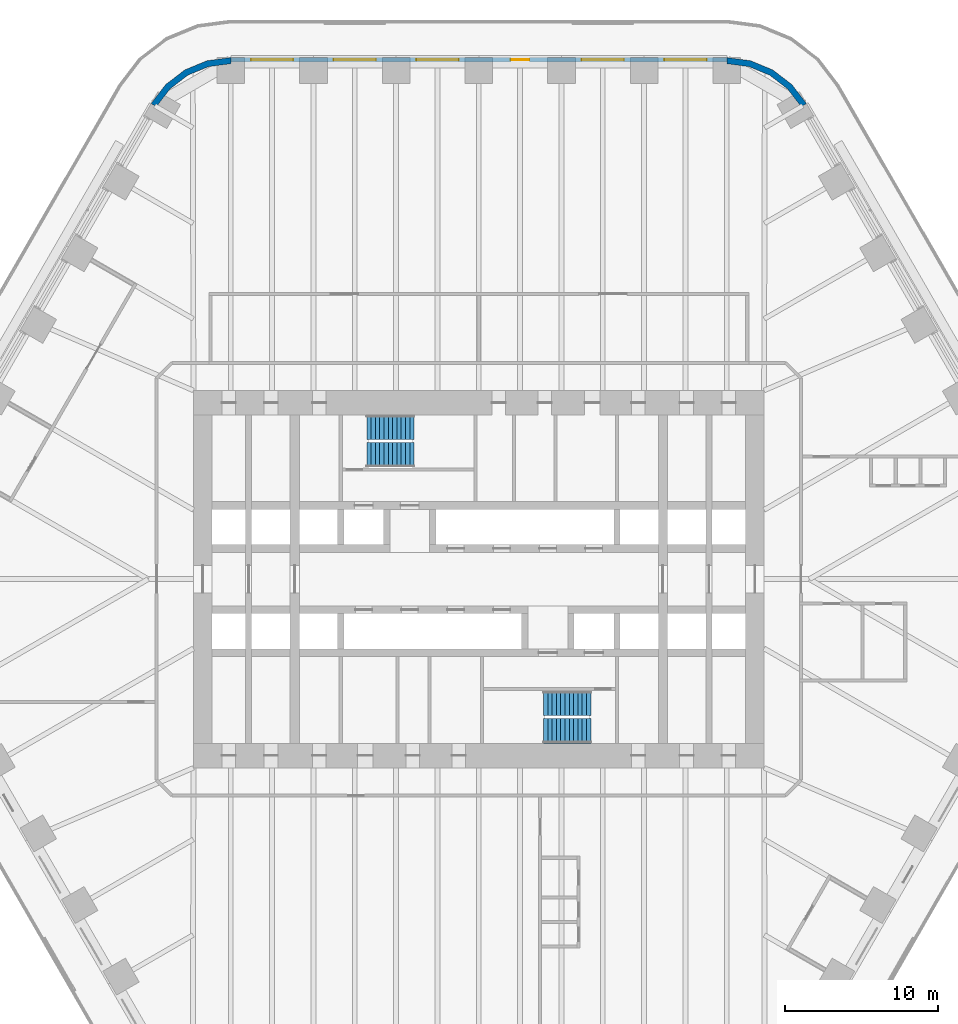
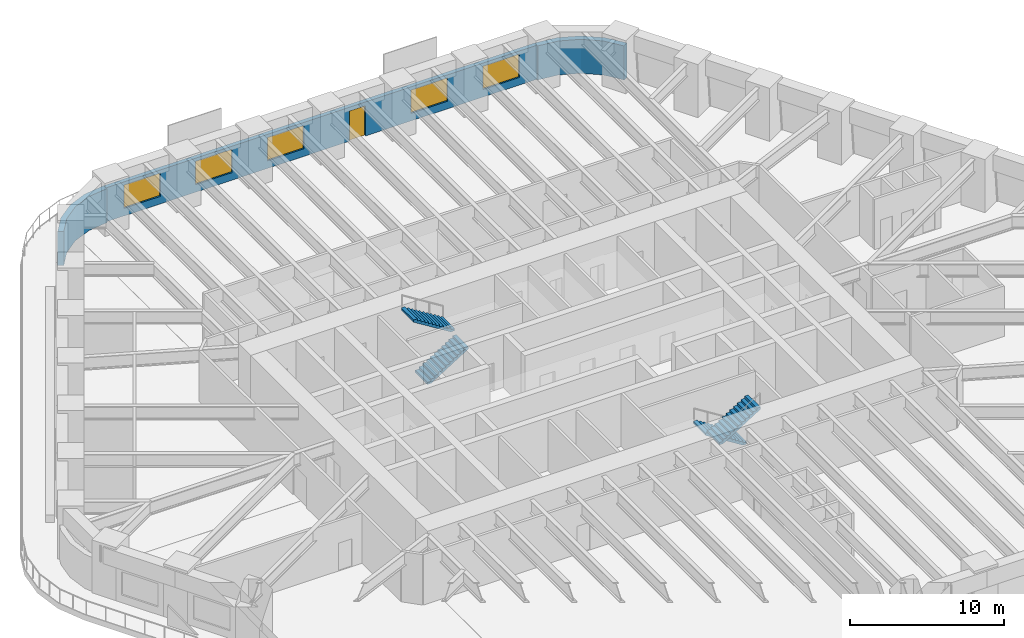
# One storey, part 21 of 24: 5 windows, 4 stair flights, 3 walls, 1 door, 6 openings, 2 elements without a shape of their own.
"""IFC4 building model written with IfcOpenShell, lengths in metres."""

from ifc_helpers import new_model, si_unit, direction, frame, frame_2d, origin, place, context, subcontext, project, spatial, polyline, rectangle, outline, extrude, material, layer, layer_set, type_object, element, fill, aggregate, save


model = new_model("IFC4")

# Units and contexts
model_context = context("Model", 3, precision=1e-05, world=origin(), true_north=direction((0.0, 1.0)))
body_context = subcontext(model_context, "Body", "Model", "MODEL_VIEW")
ifc_project = project(units=[si_unit("LENGTHUNIT", "METRE"), si_unit("AREAUNIT", "SQUARE_METRE"), si_unit("VOLUMEUNIT", "CUBIC_METRE"), si_unit("PLANEANGLEUNIT", "RADIAN"), si_unit("MASSUNIT", "GRAM", prefix="KILO")], contexts=[model_context])

# Site, building, storey
site_placement = place(None, origin())
site = spatial("IfcSite", under=ifc_project, at=site_placement, CompositionType="ELEMENT")
building_placement = place(site_placement, origin())
building = spatial("IfcBuilding", under=site, at=building_placement, Name="Tarfa Lantern Tower", CompositionType="ELEMENT")
storey_placement = place(building_placement, frame((0.0, 0.0, 90.699951171875)))
storey = spatial("IfcBuildingStorey", under=building, at=storey_placement, Name="L20", CompositionType="ELEMENT", Elevation=90.699951171875)

# Wall, openings, door, windows
ifc_material_1 = material(Name="Limestone cladding on blockwork", Category="masonry")
ifc_layer_1 = layer(ifc_material_1, 0.300048828125)
ifc_layer_set_1 = layer_set([ifc_layer_1], Name="EW1 STONE-CLAD WALL 300")
wall_type_1 = type_object("IfcWallType", Name="EW1 STONE-CLAD WALL 300", PredefinedType="SOLIDWALL", material=ifc_layer_set_1)
wall_1_placement = place(storey_placement, frame((16.165771484375, 33.85009765625, 0.0), z_axis=(0.0, 0.0, 1.0), x_axis=(-1.0, 0.0, 0.0)))
wall_1 = element("IfcWall", 1, at=wall_1_placement, inside=storey, type_object=wall_type_1, Name="Stone wall N", PredefinedType="SOLIDWALL", context=body_context, shape_type="SweptSolid", body=[
    extrude(rectangle(XDim=32.33154296875, YDim=0.300048828125, at=frame_2d((16.165771484375, 0.0))), origin(), (0.0, 0.0, 1.0), 2.699951171875),
])
opening_1_placement = place(wall_1_placement, frame((1.3193359375, 0.0, 0.60009765625)))
opening_1 = element("IfcOpeningElement", 2, at=opening_1_placement, cuts=wall_1, Name="Opening W2", PredefinedType="OPENING", context=body_context, shape_type="SweptSolid", body=[
    extrude(rectangle(XDim=2.75, YDim=1.85009765625, at=frame_2d((1.375, 0.925048828125))), frame((0.0, 0.159912109375, 0.0), z_axis=(0.0, -1.0, 0.0), x_axis=(1.0, 0.0, 0.0)), (0.0, 0.0, 1.0), 0.320068359375),
])
opening_2_placement = place(wall_1_placement, frame((6.7080078125, 0.0, 0.60009765625)))
opening_2 = element("IfcOpeningElement", 3, at=opening_2_placement, cuts=wall_1, Name="Opening W2", PredefinedType="OPENING", context=body_context, shape_type="SweptSolid", body=[
    extrude(rectangle(XDim=2.75, YDim=1.85009765625, at=frame_2d((1.375, 0.925048828125))), frame((0.0, 0.159912109375, 0.0), z_axis=(0.0, -1.0, 0.0), x_axis=(1.0, 0.0, 0.0)), (0.0, 0.0, 1.0), 0.320068359375),
])
opening_3_placement = place(wall_1_placement, frame((12.87158203125, 0.0, 0.0)))
opening_3 = element("IfcOpeningElement", 4, at=opening_3_placement, cuts=wall_1, Name="Opening D48", PredefinedType="OPENING", context=body_context, shape_type="SweptSolid", body=[
    extrude(rectangle(XDim=1.199951171875, YDim=2.39990234375, at=frame_2d((0.60009765625, 1.199951171875))), frame((0.0, 0.159912109375, 0.0), z_axis=(0.0, -1.0, 0.0), x_axis=(1.0, 0.0, 0.0)), (0.0, 0.0, 1.0), 0.320068359375),
])
opening_4_placement = place(wall_1_placement, frame((17.485107421875, 0.0, 0.60009765625)))
opening_4 = element("IfcOpeningElement", 5, at=opening_4_placement, cuts=wall_1, Name="Opening W2", PredefinedType="OPENING", context=body_context, shape_type="SweptSolid", body=[
    extrude(rectangle(XDim=2.75, YDim=1.85009765625, at=frame_2d((1.375, 0.925048828125))), frame((0.0, 0.159912109375, 0.0), z_axis=(0.0, -1.0, 0.0), x_axis=(1.0, 0.0, 0.0)), (0.0, 0.0, 1.0), 0.320068359375),
])
opening_5_placement = place(wall_1_placement, frame((22.873779296875, 0.0, 0.60009765625)))
opening_5 = element("IfcOpeningElement", 6, at=opening_5_placement, cuts=wall_1, Name="Opening W2", PredefinedType="OPENING", context=body_context, shape_type="SweptSolid", body=[
    extrude(rectangle(XDim=2.75, YDim=1.85009765625, at=frame_2d((1.375, 0.925048828125))), frame((0.0, 0.159912109375, 0.0), z_axis=(0.0, -1.0, 0.0), x_axis=(1.0, 0.0, 0.0)), (0.0, 0.0, 1.0), 0.320068359375),
])
opening_6_placement = place(wall_1_placement, frame((28.26220703125, 0.0, 0.60009765625)))
opening_6 = element("IfcOpeningElement", 7, at=opening_6_placement, cuts=wall_1, Name="Opening W2", PredefinedType="OPENING", context=body_context, shape_type="SweptSolid", body=[
    extrude(rectangle(XDim=2.75, YDim=1.85009765625, at=frame_2d((1.375, 0.925048828125))), frame((0.0, 0.159912109375, 0.0), z_axis=(0.0, -1.0, 0.0), x_axis=(1.0, 0.0, 0.0)), (0.0, 0.0, 1.0), 0.320068359375),
])
ifc_material_2 = material(Name="Aluminium framed glazed door", Category="aluminium")
door_type = type_object("IfcDoorType", Name="BE3 BALCONY DOOR 1200x2400", OperationType="SINGLE_SWING_RIGHT", PredefinedType="DOOR", material=ifc_material_2)
door_placement = place(opening_3_placement, origin())
door = element("IfcDoor", 8, at=door_placement, inside=storey, type_object=door_type, Name="Balcony door N", OperationType="SINGLE_SWING_RIGHT", OverallHeight=2.39990234375, OverallWidth=1.199951171875, PredefinedType="DOOR", context=body_context, shape_type="SweptSolid", body=[
    extrude(rectangle(XDim=1.199951171875, YDim=2.39990234375, at=frame_2d((0.60009765625, 1.199951171875))), frame((0.0, 0.02490234375, 0.0), z_axis=(0.0, -1.0, 0.0), x_axis=(1.0, 0.0, 0.0)), (0.0, 0.0, 1.0), 0.050048828125),
])
fill(opening_3, door)
ifc_material_3 = material(Name="Aluminium frame, double glazed", Category="aluminium")
window_type = type_object("IfcWindowType", Name="W2 FULL-HEIGHT GLAZING 2750x1850", PartitioningType="SINGLE_PANEL", PredefinedType="WINDOW", material=ifc_material_3)
window_1_placement = place(opening_1_placement, origin())
window_1 = element("IfcWindow", 9, at=window_1_placement, inside=storey, type_object=window_type, Name="Window N 1", OverallHeight=1.85009765625, OverallWidth=2.75, PartitioningType="SINGLE_PANEL", PredefinedType="WINDOW", context=body_context, shape_type="SweptSolid", body=[
    extrude(rectangle(XDim=2.75, YDim=1.85009765625, at=frame_2d((1.375, 0.925048828125))), frame((0.0, 0.030029296875, 0.0), z_axis=(0.0, -1.0, 0.0), x_axis=(1.0, 0.0, 0.0)), (0.0, 0.0, 1.0), 0.06005859375),
])
fill(opening_1, window_1)
window_2_placement = place(opening_2_placement, origin())
window_2 = element("IfcWindow", 10, at=window_2_placement, inside=storey, type_object=window_type, Name="Window N 2", OverallHeight=1.85009765625, OverallWidth=2.75, PartitioningType="SINGLE_PANEL", PredefinedType="WINDOW", context=body_context, shape_type="SweptSolid", body=[
    extrude(rectangle(XDim=2.75, YDim=1.85009765625, at=frame_2d((1.375, 0.925048828125))), frame((0.0, 0.030029296875, 0.0), z_axis=(0.0, -1.0, 0.0), x_axis=(1.0, 0.0, 0.0)), (0.0, 0.0, 1.0), 0.06005859375),
])
fill(opening_2, window_2)
window_3_placement = place(opening_4_placement, origin())
window_3 = element("IfcWindow", 11, at=window_3_placement, inside=storey, type_object=window_type, Name="Window N 4", OverallHeight=1.85009765625, OverallWidth=2.75, PartitioningType="SINGLE_PANEL", PredefinedType="WINDOW", context=body_context, shape_type="SweptSolid", body=[
    extrude(rectangle(XDim=2.75, YDim=1.85009765625, at=frame_2d((1.375, 0.925048828125))), frame((0.0, 0.030029296875, 0.0), z_axis=(0.0, -1.0, 0.0), x_axis=(1.0, 0.0, 0.0)), (0.0, 0.0, 1.0), 0.06005859375),
])
fill(opening_4, window_3)
window_4_placement = place(opening_5_placement, origin())
window_4 = element("IfcWindow", 12, at=window_4_placement, inside=storey, type_object=window_type, Name="Window N 5", OverallHeight=1.85009765625, OverallWidth=2.75, PartitioningType="SINGLE_PANEL", PredefinedType="WINDOW", context=body_context, shape_type="SweptSolid", body=[
    extrude(rectangle(XDim=2.75, YDim=1.85009765625, at=frame_2d((1.375, 0.925048828125))), frame((0.0, 0.030029296875, 0.0), z_axis=(0.0, -1.0, 0.0), x_axis=(1.0, 0.0, 0.0)), (0.0, 0.0, 1.0), 0.06005859375),
])
fill(opening_5, window_4)
window_5_placement = place(opening_6_placement, origin())
window_5 = element("IfcWindow", 13, at=window_5_placement, inside=storey, type_object=window_type, Name="Window N 6", OverallHeight=1.85009765625, OverallWidth=2.75, PartitioningType="SINGLE_PANEL", PredefinedType="WINDOW", context=body_context, shape_type="SweptSolid", body=[
    extrude(rectangle(XDim=2.75, YDim=1.85009765625, at=frame_2d((1.375, 0.925048828125))), frame((0.0, 0.030029296875, 0.0), z_axis=(0.0, -1.0, 0.0), x_axis=(1.0, 0.0, 0.0)), (0.0, 0.0, 1.0), 0.06005859375),
])
fill(opening_6, window_5)

# Walls
ifc_layer_2 = layer(ifc_material_1, 0.39990234375)
ifc_layer_set_2 = layer_set([ifc_layer_2], Name="EW2 CURVED STONE CORNER 400")
wall_type_2 = type_object("IfcWallType", Name="EW2 CURVED STONE CORNER 400", PredefinedType="SOLIDWALL", material=ifc_layer_set_2)
wall_2_placement = place(storey_placement, origin())
element("IfcWall", 14, at=wall_2_placement, inside=storey, type_object=wall_type_2, Name="Stone corner NE-N", PredefinedType="SOLIDWALL", context=body_context, shape_type="SweptSolid", body=[
    extrude(outline(polyline([(21.362060546875, 31.0), (20.408447265625, 32.24267578125), (19.165771484375, 33.196044921875), (17.71875, 33.795654296875), (16.165771484375, 34.0), (16.165771484375, 33.60009765625), (17.615234375, 33.4091796875), (18.9658203125, 32.849853515625), (20.12548828125, 31.959716796875), (21.015625, 30.800048828125), (21.362060546875, 31.0)])), origin(), (0.0, 0.0, 1.0), 2.699951171875),
])
wall_3_placement = place(storey_placement, origin())
element("IfcWall", 15, at=wall_3_placement, inside=storey, type_object=wall_type_2, Name="Stone corner N-NW", PredefinedType="SOLIDWALL", context=body_context, shape_type="SweptSolid", body=[
    extrude(outline(polyline([(-16.165771484375, 34.0), (-17.71875, 33.795654296875), (-19.165771484375, 33.196044921875), (-20.408447265625, 32.24267578125), (-21.362060546875, 31.0), (-21.015625, 30.800048828125), (-20.12548828125, 31.959716796875), (-18.9658203125, 32.849853515625), (-17.615234375, 33.4091796875), (-16.165771484375, 33.60009765625), (-16.165771484375, 34.0)])), origin(), (0.0, 0.0, 1.0), 2.699951171875),
])

# Stair, stair flights
ifc_material_4 = material(Name="Concrete C40/50", Category="concrete")
stair_type = type_object("IfcStairType", Name="ST-T10 HALF-TURN STAIR 4200 RISE", PredefinedType="HALF_TURN_STAIR", material=ifc_material_4)
stair_1_placement = place(storey_placement, origin())
stair_1 = element("IfcStair", 16, at=stair_1_placement, inside=storey, type_object=stair_type, Name="Stair ST1", PredefinedType="HALF_TURN_STAIR")
stair_flight_type = type_object("IfcStairFlightType", Name="SF1 STAIR FLIGHT", PredefinedType="STRAIGHT", material=ifc_material_4)
stair_flight_1_placement = place(storey_placement, frame((-7.300048828125, 8.10009765625, 0.0), z_axis=(0.0, 0.0, 1.0), x_axis=(1.0, 0.0, 0.0)))
stair_flight_1 = element("IfcStairFlight", 17, at=stair_flight_1_placement, type_object=stair_flight_type, Name="ST1 flight 1", NumberOfRisers=12, NumberOfTreads=11, PredefinedType="STRAIGHT", RiserHeight=0.175, TreadLength=0.28, context=body_context, shape_type="SweptSolid", body=[
    extrude(outline(polyline([(0.0, 0.0), (0.0, 0.175048828125), (0.280029296875, 0.175048828125), (0.280029296875, 0.35009765625), (0.56005859375, 0.35009765625), (0.56005859375, 0.52490234375), (0.840087890625, 0.52490234375), (0.840087890625, 0.699951171875), (1.1201171875, 0.699951171875), (1.1201171875, 0.875), (1.39990234375, 0.875), (1.39990234375, 1.050048828125), (1.679931640625, 1.050048828125), (1.679931640625, 1.22509765625), (1.9599609375, 1.22509765625), (1.9599609375, 1.39990234375), (2.239990234375, 1.39990234375), (2.239990234375, 1.574951171875), (2.52001953125, 1.574951171875), (2.52001953125, 1.75), (2.800048828125, 1.75), (2.800048828125, 1.925048828125), (3.080078125, 1.925048828125), (3.080078125, 2.10009765625), (3.080078125, 1.748291015625), (0.28271484375, 0.0), (0.0, 0.0)])), frame((0.0, 0.800048828125, 0.0), z_axis=(0.0, -1.0, 0.0), x_axis=(1.0, 0.0, 0.0)), (0.0, 0.0, 1.0), 1.60009765625),
])
stair_flight_2_placement = place(storey_placement, frame((-4.219970703125, 9.89990234375, 2.10009765625), z_axis=(0.0, 0.0, 1.0), x_axis=(-1.0, 0.0, 0.0)))
stair_flight_2 = element("IfcStairFlight", 18, at=stair_flight_2_placement, type_object=stair_flight_type, Name="ST1 flight 2", NumberOfRisers=12, NumberOfTreads=11, PredefinedType="STRAIGHT", RiserHeight=0.175, TreadLength=0.28, context=body_context, shape_type="SweptSolid", body=[
    extrude(outline(polyline([(0.0, 0.0), (0.0, 0.175048828125), (0.280029296875, 0.175048828125), (0.280029296875, 0.35009765625), (0.56005859375, 0.35009765625), (0.56005859375, 0.52490234375), (0.840087890625, 0.52490234375), (0.840087890625, 0.699951171875), (1.1201171875, 0.699951171875), (1.1201171875, 0.875), (1.39990234375, 0.875), (1.39990234375, 1.050048828125), (1.679931640625, 1.050048828125), (1.679931640625, 1.22509765625), (1.9599609375, 1.22509765625), (1.9599609375, 1.39990234375), (2.239990234375, 1.39990234375), (2.239990234375, 1.574951171875), (2.52001953125, 1.574951171875), (2.52001953125, 1.75), (2.800048828125, 1.75), (2.800048828125, 1.925048828125), (3.080078125, 1.925048828125), (3.080078125, 2.10009765625), (3.080078125, 1.748291015625), (0.28271484375, 0.0), (0.0, 0.0)])), frame((0.0, 0.800048828125, 0.0), z_axis=(0.0, -1.0, 0.0), x_axis=(1.0, 0.0, 0.0)), (0.0, 0.0, 1.0), 1.60009765625),
])
aggregate(stair_1, [stair_flight_1, stair_flight_2])

stair_2_placement = place(storey_placement, origin())
stair_2 = element("IfcStair", 19, at=stair_2_placement, inside=storey, type_object=stair_type, Name="Stair ST2", PredefinedType="HALF_TURN_STAIR")
stair_flight_3_placement = place(storey_placement, frame((7.300048828125, -8.10009765625, 0.0), z_axis=(0.0, 0.0, 1.0), x_axis=(-1.0, 0.0, 0.0)))
stair_flight_3 = element("IfcStairFlight", 20, at=stair_flight_3_placement, type_object=stair_flight_type, Name="ST2 flight 1", NumberOfRisers=12, NumberOfTreads=11, PredefinedType="STRAIGHT", RiserHeight=0.175, TreadLength=0.28, context=body_context, shape_type="SweptSolid", body=[
    extrude(outline(polyline([(0.0, 0.0), (0.0, 0.175048828125), (0.280029296875, 0.175048828125), (0.280029296875, 0.35009765625), (0.56005859375, 0.35009765625), (0.56005859375, 0.52490234375), (0.840087890625, 0.52490234375), (0.840087890625, 0.699951171875), (1.1201171875, 0.699951171875), (1.1201171875, 0.875), (1.39990234375, 0.875), (1.39990234375, 1.050048828125), (1.679931640625, 1.050048828125), (1.679931640625, 1.22509765625), (1.9599609375, 1.22509765625), (1.9599609375, 1.39990234375), (2.239990234375, 1.39990234375), (2.239990234375, 1.574951171875), (2.52001953125, 1.574951171875), (2.52001953125, 1.75), (2.800048828125, 1.75), (2.800048828125, 1.925048828125), (3.080078125, 1.925048828125), (3.080078125, 2.10009765625), (3.080078125, 1.748291015625), (0.28271484375, 0.0), (0.0, 0.0)])), frame((0.0, 0.800048828125, 0.0), z_axis=(0.0, -1.0, 0.0), x_axis=(1.0, 0.0, 0.0)), (0.0, 0.0, 1.0), 1.60009765625),
])
stair_flight_4_placement = place(storey_placement, frame((4.219970703125, -9.89990234375, 2.10009765625), z_axis=(0.0, 0.0, 1.0), x_axis=(1.0, 0.0, 0.0)))
stair_flight_4 = element("IfcStairFlight", 21, at=stair_flight_4_placement, type_object=stair_flight_type, Name="ST2 flight 2", NumberOfRisers=12, NumberOfTreads=11, PredefinedType="STRAIGHT", RiserHeight=0.175, TreadLength=0.28, context=body_context, shape_type="SweptSolid", body=[
    extrude(outline(polyline([(0.0, 0.0), (0.0, 0.175048828125), (0.280029296875, 0.175048828125), (0.280029296875, 0.35009765625), (0.56005859375, 0.35009765625), (0.56005859375, 0.52490234375), (0.840087890625, 0.52490234375), (0.840087890625, 0.699951171875), (1.1201171875, 0.699951171875), (1.1201171875, 0.875), (1.39990234375, 0.875), (1.39990234375, 1.050048828125), (1.679931640625, 1.050048828125), (1.679931640625, 1.22509765625), (1.9599609375, 1.22509765625), (1.9599609375, 1.39990234375), (2.239990234375, 1.39990234375), (2.239990234375, 1.574951171875), (2.52001953125, 1.574951171875), (2.52001953125, 1.75), (2.800048828125, 1.75), (2.800048828125, 1.925048828125), (3.080078125, 1.925048828125), (3.080078125, 2.10009765625), (3.080078125, 1.748291015625), (0.28271484375, 0.0), (0.0, 0.0)])), frame((0.0, 0.800048828125, 0.0), z_axis=(0.0, -1.0, 0.0), x_axis=(1.0, 0.0, 0.0)), (0.0, 0.0, 1.0), 1.60009765625),
])
aggregate(stair_2, [stair_flight_3, stair_flight_4])

save(model, "model.ifc")
